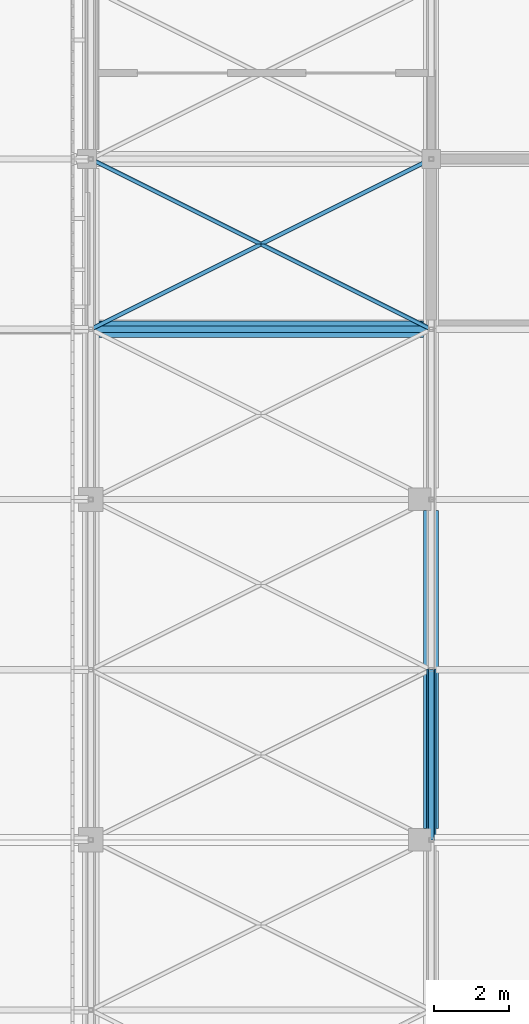
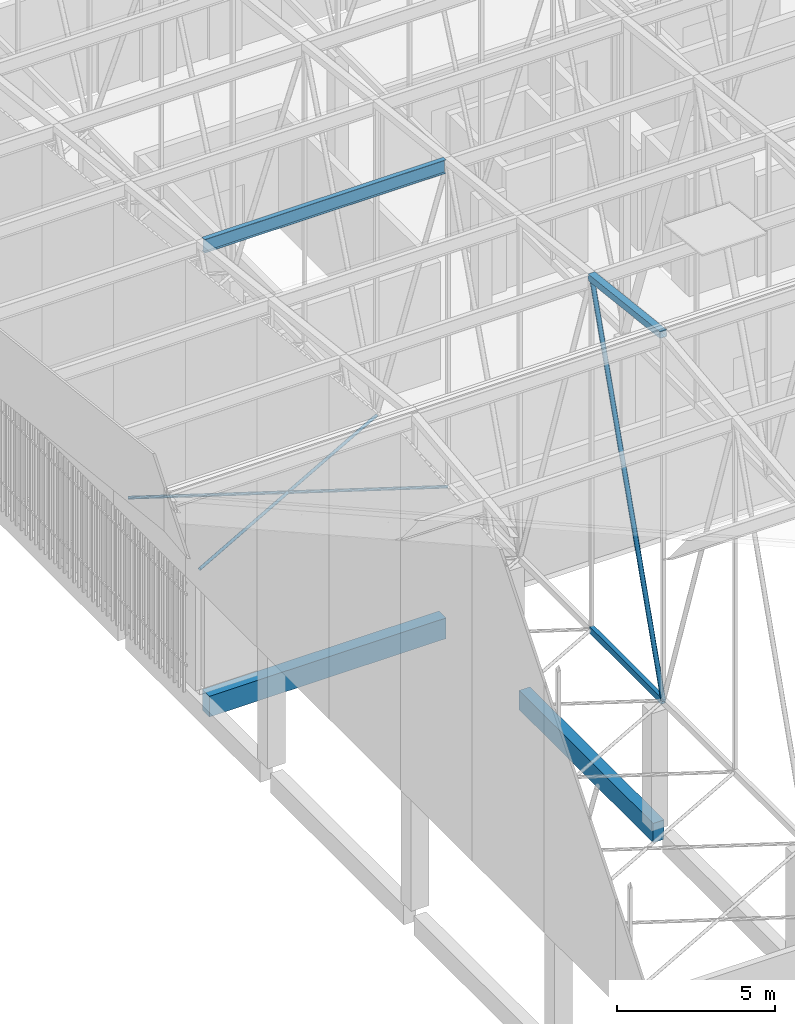
# One storey, part 171 of 500: 6 members, 2 beams.
"""IFC4 building model written with IfcOpenShell, lengths in metres."""

import ifcopenshell
import ifcopenshell.guid

model = None  # the IFC model being written
_history = None  # IfcOwnerHistory: only IFC2X3 demands one
_inside = {}  # id of a spatial element -> (the spatial element, [elements in it])
_under = {}  # id of a project, library or spatial element -> (it, [spatial elements below it])
_declared = {}  # id of a project -> (the project, [libraries it declares])
_typed = {}  # id of a type object -> (the type object, [elements of that type])
_made_of = {}  # id of a material, layer set ... -> (it, [elements and type objects made of it])


def new_model(schema):
    """Start an empty IFC model of exactly this schema.

    Asked for "IFC4X3", IfcOpenShell would pick the latest addendum, in which some entities
    have other attributes; the version numbers below select the first issue.
    IFC2X3 requires an IfcOwnerHistory on every rooted entity: one is made here for all.
    """
    global model, _history
    if schema == "IFC4X3":
        model = ifcopenshell.file(schema_version=(4, 3, 0, 0))
    else:
        model = ifcopenshell.file(schema=schema)
    _inside.clear()
    _under.clear()
    _declared.clear()
    _typed.clear()
    _made_of.clear()
    _history = None
    if model.schema == "IFC2X3":
        org = make("IfcOrganization", Name="unknown")
        user = make(
            "IfcPersonAndOrganization",
            ThePerson=make("IfcPerson", FamilyName="unknown"),
            TheOrganization=org,
        )
        app = make(
            "IfcApplication",
            ApplicationDeveloper=org,
            Version="unknown",
            ApplicationFullName="unknown",
            ApplicationIdentifier="unknown",
        )
        _history = make(
            "IfcOwnerHistory",
            OwningUser=user,
            OwningApplication=app,
            ChangeAction="ADDED",
            CreationDate=0,
        )
    return model


def make(cls, **values):
    """One entity of the class cls with the attributes given. An attribute that is None is left unset."""
    return model.create_entity(
        cls, **{name: value for name, value in values.items() if value is not None}
    )


def rooted(cls, **values):
    """An entity with a GlobalId (a new one), such as an element, a storey or a relation."""
    return make(cls, GlobalId=ifcopenshell.guid.new(), OwnerHistory=_history, **values)


def si_unit(unit_type, name, prefix=None):
    """IfcSIUnit, for example si_unit("LENGTHUNIT", "METRE", prefix="MILLI")."""
    return make("IfcSIUnit", UnitType=unit_type, Prefix=prefix, Name=name)


def assignment(units):
    """IfcUnitAssignment: the units of a project."""
    return None if units is None else make("IfcUnitAssignment", Units=units)


def point(xyz):
    """IfcCartesianPoint."""
    return None if xyz is None else make("IfcCartesianPoint", Coordinates=xyz)


def direction(xyz):
    """IfcDirection."""
    return None if xyz is None else make("IfcDirection", DirectionRatios=xyz)


def frame(location, z_axis=None, x_axis=None):
    """IfcAxis2Placement3D, a coordinate frame: its origin and axes. An axis left out is left unset."""
    return make(
        "IfcAxis2Placement3D",
        Location=point(location),
        Axis=direction(z_axis),
        RefDirection=direction(x_axis),
    )


def frame_2d(location, x_axis=None):
    """IfcAxis2Placement2D, a coordinate frame in the plane: its origin and x axis."""
    return make(
        "IfcAxis2Placement2D", Location=point(location), RefDirection=direction(x_axis)
    )


def origin():
    """The frame at (0, 0, 0) with its axes left unset."""
    return frame((0.0, 0.0, 0.0))


def origin_2d():
    """The frame at (0, 0) in the plane with its x axis left unset."""
    return frame_2d((0.0, 0.0))


def place(relative_to, where):
    """IfcLocalPlacement: puts the frame where relative to a parent placement (None: the world)."""
    return make(
        "IfcLocalPlacement", PlacementRelTo=relative_to, RelativePlacement=where
    )


def context(
    kind, dimensions, precision=None, world=None, true_north=None, identifier=None
):
    """IfcGeometricRepresentationContext, for example the 3D "Model" context."""
    return make(
        "IfcGeometricRepresentationContext",
        ContextIdentifier=identifier,
        ContextType=kind,
        CoordinateSpaceDimension=dimensions,
        Precision=precision,
        WorldCoordinateSystem=world,
        TrueNorth=true_north,
    )


def subcontext(parent, identifier, kind, view, scale=None):
    """IfcGeometricRepresentationSubContext, for example "Body" below "Model"."""
    return make(
        "IfcGeometricRepresentationSubContext",
        ContextIdentifier=identifier,
        ContextType=kind,
        ParentContext=parent,
        TargetScale=scale,
        TargetView=view,
    )


def project(units=None, contexts=None):
    """IfcProject with its units and contexts."""
    return rooted(
        "IfcProject",
        Name="project",
        RepresentationContexts=contexts,
        UnitsInContext=assignment(units),
    )


def spatial(cls, under=None, at=None, **own):
    """A site, building, storey or space (cls), placed at a placement, below another one or the project."""
    s = rooted(cls, ObjectPlacement=at, **own)
    if under is not None:
        _under.setdefault(under.id(), (under, []))[1].append(s)
    return s


def profile(cls, at=None, kind="AREA", **sizes):
    """A parametric profile (cls). Its sizes go by their IFC names, for example OverallWidth=200.0."""
    return make(cls, ProfileType=kind, Position=at, **sizes)


def rectangle(**sizes):
    """IfcRectangleProfileDef."""
    return profile("IfcRectangleProfileDef", **sizes)


def hollow_rectangle(**sizes):
    """IfcRectangleHollowProfileDef."""
    return profile("IfcRectangleHollowProfileDef", **sizes)


def hollow_circle(**sizes):
    """IfcCircleHollowProfileDef."""
    return profile("IfcCircleHollowProfileDef", **sizes)


def i_section(**sizes):
    """IfcIShapeProfileDef."""
    return profile("IfcIShapeProfileDef", **sizes)


def extrude(swept, where, along, depth):
    """IfcExtrudedAreaSolid: the profile swept, set in the frame where, extruded along a direction by depth."""
    return make(
        "IfcExtrudedAreaSolid",
        SweptArea=swept,
        Position=where,
        ExtrudedDirection=direction(along),
        Depth=depth,
    )


def shape(context_of_items, identifier, shape_type, items):
    """IfcShapeRepresentation: the items that make up one representation, for example the "Body"."""
    return make(
        "IfcShapeRepresentation",
        ContextOfItems=context_of_items,
        RepresentationIdentifier=identifier,
        RepresentationType=shape_type,
        Items=items,
    )


def material(Name=None, Category=None):
    """IfcMaterial."""
    return make("IfcMaterial", Name=Name, Category=Category)


def material_profile(
    of_material, cross_section, Name=None, Category=None, Priority=None
):
    """IfcMaterialProfile: a cross section and its material."""
    return make(
        "IfcMaterialProfile",
        Name=Name,
        Material=of_material,
        Profile=cross_section,
        Priority=Priority,
        Category=Category,
    )


def profile_set(profiles, Name=None, composite=None):
    """IfcMaterialProfileSet."""
    return make(
        "IfcMaterialProfileSet",
        Name=Name,
        MaterialProfiles=profiles,
        CompositeProfile=composite,
    )


def made_of(thing, what):
    """Note that an element or type object is made of a material, layer set ...; save() writes the relation."""
    if what is not None:
        _made_of.setdefault(what.id(), (what, []))[1].append(thing)
    return thing


def type_object(cls, material=None, **own):
    """A type object (cls), such as IfcWallType, which elements share."""
    return made_of(rooted(cls, **own), material)


def element(
    cls,
    number,
    at=None,
    inside=None,
    cuts=None,
    type_object=None,
    material=None,
    context=None,
    identifier="Body",
    shape_type=None,
    held_by="IfcProductDefinitionShape",
    body=None,
    shapes=None,
    **own,
):
    """One element of the class cls, such as IfcWall. Its Tag is "e" and its number.

    at: its placement. inside: the storey or other place that contains it. cuts: it is an
    opening in that element (IfcRelVoidsElement). A single representation is given by context,
    identifier, shape_type and body (its items); several are given by shapes. held_by: the class
    of the entity that holds the representations. save() writes the other relations.
    """
    e = rooted(cls, Tag="e%d" % number, ObjectPlacement=at, **own)
    if body is not None:
        shapes = [shape(context, identifier, shape_type, body)]
    if shapes is not None:
        e.Representation = make(held_by, Representations=shapes)
    if inside is not None:
        _inside.setdefault(inside.id(), (inside, []))[1].append(e)
    if cuts is not None:
        rooted(
            "IfcRelVoidsElement", RelatingBuildingElement=cuts, RelatedOpeningElement=e
        )
    if type_object is not None:
        _typed.setdefault(type_object.id(), (type_object, []))[1].append(e)
    return made_of(e, material)


def aggregate(whole, parts):
    """IfcRelAggregates: a whole, such as a stair, and the parts it consists of."""
    return rooted("IfcRelAggregates", RelatingObject=whole, RelatedObjects=parts)


def save(model, path):
    """Write the relations noted so far, then the file.

    IfcRelAggregates (storeys below a building ...), IfcRelContainedInSpatialStructure (elements
    in a storey), IfcRelDefinesByType, IfcRelAssociatesMaterial and IfcRelDeclares: one each for
    every whole, place, type object, material and project.
    """
    for whole, parts in _under.values():
        aggregate(whole, parts)
    for where, things in _inside.values():
        rooted(
            "IfcRelContainedInSpatialStructure",
            RelatedElements=things,
            RelatingStructure=where,
        )
    for kind, things in _typed.values():
        rooted("IfcRelDefinesByType", RelatedObjects=things, RelatingType=kind)
    for what, things in _made_of.values():
        rooted("IfcRelAssociatesMaterial", RelatedObjects=things, RelatingMaterial=what)
    for by, libraries in _declared.values():
        rooted("IfcRelDeclares", RelatingContext=by, RelatedDefinitions=libraries)
    model.write(path)


model = new_model("IFC4")

# Units and contexts
model_context = context("Model", 3, precision=1e-05, world=origin(), true_north=direction((0.0, 1.0)))
body_context = subcontext(model_context, "Body", "Model", "MODEL_VIEW")
ifc_project = project(units=[si_unit("LENGTHUNIT", "METRE"), si_unit("AREAUNIT", "SQUARE_METRE"), si_unit("VOLUMEUNIT", "CUBIC_METRE"), si_unit("PLANEANGLEUNIT", "RADIAN"), si_unit("MASSUNIT", "GRAM", prefix="KILO")], contexts=[model_context])

# Site, building, storey
site_placement = place(None, origin())
site = spatial("IfcSite", under=ifc_project, at=site_placement, CompositionType="ELEMENT")
building_placement = place(site_placement, origin())
building = spatial("IfcBuilding", under=site, at=building_placement, Name="Shirokan Park Arena", CompositionType="ELEMENT")
storey_placement = place(building_placement, frame((0.0, 0.0, 29.1201171875)))
storey = spatial("IfcBuildingStorey", under=building, at=storey_placement, Name="L06", CompositionType="ELEMENT", Elevation=29.1201171875)

# Members
ifc_material_1 = material(Name="Steel ASTM A500 Grade C", Category="steel")
ifc_material_profile_1 = material_profile(ifc_material_1, hollow_rectangle(XDim=0.152099609375, YDim=0.25390625, WallThickness=0.009521484375, at=origin_2d()), Name="HSS254X152.4X9.5")
ifc_profile_set_1 = profile_set([ifc_material_profile_1], Name="Steel ASTM A500 Grade C")
member_type_1 = type_object("IfcMemberType", Name="Bottom chord HSS254X152.4X9.5", PredefinedType="CHORD", material=ifc_profile_set_1)
member_1_placement = place(storey_placement, frame((9.10009765625, 54.60009765625, 4.677001953125), z_axis=(0.0, 1.0, 0.0), x_axis=(-1.0, 0.0, 0.0)))
element("IfcMember", 1, at=member_1_placement, inside=storey, type_object=member_type_1, Name="Truss T02 bottom chord 15", PredefinedType="CHORD", context=body_context, shape_type="SweptSolid", body=[
    extrude(hollow_rectangle(XDim=0.152099609375, YDim=0.25390625, WallThickness=0.009521484375, at=origin_2d()), origin(), (0.0, 0.0, 1.0), 4.5498046875),
])
ifc_material_profile_2 = material_profile(ifc_material_1, hollow_circle(Radius=0.056884765625, WallThickness=0.006103515625, at=origin_2d()), Name="HSS114.3X6")
ifc_profile_set_2 = profile_set([ifc_material_profile_2], Name="Steel ASTM A500 Grade C")
member_type_2 = type_object("IfcMemberType", Name="Plan bracing HSS114.3X6", PredefinedType="BRACE", material=ifc_profile_set_2)
for number, where, z_axis, x_axis, name in (
    (2, (0.0, 68.25, 4.677001953125), (0.894427191, 0.4472135955, 0.0), (-0.4472135955, 0.894427191, 0.0), "Plan bracing bay 1 panel 18 A"),
    (3, (9.10009765625, 68.25, 4.677001953125), (-0.894427191, 0.4472135955, 0.0), (-0.4472135955, -0.894427191, 0.0), "Plan bracing bay 1 panel 18 B"),
):
    element("IfcMember", number, at=place(storey_placement, frame(where, z_axis=z_axis, x_axis=x_axis)), inside=storey, type_object=member_type_2, Name=name, PredefinedType="BRACE", context=body_context, shape_type="SweptSolid", body=[
        extrude(hollow_circle(Radius=0.056884765625, WallThickness=0.006103515625, at=origin_2d()), origin(), (0.0, 0.0, 1.0), 10.17431640625),
    ])
ifc_material_2 = material(Name="Steel ASTM A992", Category="steel")
ifc_material_profile_3 = material_profile(ifc_material_2, i_section(OverallWidth=0.166015625, OverallDepth=0.528076171875, WebThickness=0.009765625, FlangeThickness=0.013671875, at=origin_2d()), Name="W530X74")
ifc_profile_set_3 = profile_set([ifc_material_profile_3], Name="Steel ASTM A992")
member_type_3 = type_object("IfcMemberType", Name="Purlin W530X74", PredefinedType="PURLIN", material=ifc_profile_set_3)
member_2_placement = place(storey_placement, frame((0.126953125, 68.25, 17.165771484375), z_axis=(1.0, 0.0, 0.0), x_axis=(0.0, 1.0, 0.0)))
element("IfcMember", 4, at=member_2_placement, inside=storey, type_object=member_type_3, Name="Purlin 18 bay 1", PredefinedType="PURLIN", context=body_context, shape_type="SweptSolid", body=[
    extrude(i_section(OverallWidth=0.166015625, OverallDepth=0.528076171875, WebThickness=0.009765625, FlangeThickness=0.013671875, at=origin_2d()), origin(), (0.0, 0.0, 1.0), 8.845947265625),
])

# Beams
ifc_material_3 = material(Name="Concrete C35", Category="concrete")
ifc_material_profile_4 = material_profile(ifc_material_3, rectangle(XDim=0.449951171875, YDim=0.800048828125, at=origin_2d()), Name="450x800")
ifc_profile_set_4 = profile_set([ifc_material_profile_4], Name="Concrete C35")
beam_type_1 = type_object("IfcBeamType", Name="RC edge beam 450x800", PredefinedType="BEAM", material=ifc_profile_set_4)
beam_1_placement = place(storey_placement, frame((0.22509765625, 68.25, -0.60009765625), z_axis=(1.0, 0.0, 0.0), x_axis=(0.0, 1.0, 0.0)))
element("IfcBeam", 5, at=beam_1_placement, inside=storey, type_object=beam_type_1, Name="Edge beam L06 L06-34", PredefinedType="BEAM", context=body_context, shape_type="SweptSolid", body=[
    extrude(rectangle(XDim=0.449951171875, YDim=0.800048828125, at=origin_2d()), origin(), (0.0, 0.0, 1.0), 8.6748046875),
])
ifc_material_profile_5 = material_profile(ifc_material_3, rectangle(XDim=0.39990234375, YDim=0.75, at=origin_2d()), Name="400x750")
ifc_profile_set_5 = profile_set([ifc_material_profile_5], Name="Concrete C35")
beam_type_2 = type_object("IfcBeamType", Name="RC girder 400x750", PredefinedType="BEAM", material=ifc_profile_set_5)
beam_2_placement = place(storey_placement, frame((9.10009765625, 54.900146484375, -0.5751953125), z_axis=(0.0, 1.0, 0.0), x_axis=(-1.0, 0.0, 0.0)))
element("IfcBeam", 6, at=beam_2_placement, inside=storey, type_object=beam_type_2, Name="Girder 2G-2H L06", PredefinedType="BEAM", context=body_context, shape_type="SweptSolid", body=[
    extrude(rectangle(XDim=0.39990234375, YDim=0.75, at=origin_2d()), origin(), (0.0, 0.0, 1.0), 8.499755859375),
])

# Members
ifc_material_profile_6 = material_profile(ifc_material_1, hollow_rectangle(XDim=0.25390625, YDim=0.25390625, WallThickness=0.009521484375, at=origin_2d()), Name="HSS254X254X9.5")
ifc_profile_set_6 = profile_set([ifc_material_profile_6], Name="Steel ASTM A500 Grade C")
member_type_4 = type_object("IfcMemberType", Name="Top chord HSS254X254X9.5", PredefinedType="CHORD", material=ifc_profile_set_6)
member_3_placement = place(storey_placement, frame((9.10009765625, 54.60009765625, 18.86279296875), z_axis=(0.0, 0.993531641592, -0.11355561261), x_axis=(-1.0, 0.0, 0.0)))
element("IfcMember", 7, at=member_3_placement, inside=storey, type_object=member_type_4, Name="Truss T02 top chord 15", PredefinedType="CHORD", context=body_context, shape_type="SweptSolid", body=[
    extrude(hollow_rectangle(XDim=0.25390625, YDim=0.25390625, WallThickness=0.009521484375, at=origin_2d()), origin(), (0.0, 0.0, 1.0), 4.579345703125),
])
ifc_material_profile_7 = material_profile(ifc_material_1, hollow_circle(Radius=0.083984375, WallThickness=0.009521484375, at=origin_2d()), Name="HSS168.3X9.5")
ifc_profile_set_7 = profile_set([ifc_material_profile_7], Name="Steel ASTM A500 Grade C")
member_type_5 = type_object("IfcMemberType", Name="Truss diagonal HSS168.3X9.5", PredefinedType="BRACE", material=ifc_profile_set_7)
member_4_placement = place(storey_placement, frame((9.10009765625, 54.60009765625, 4.677001953125), z_axis=(0.0, 0.315887043243, 0.948796804332), x_axis=(-1.0, 0.0, 0.0)))
element("IfcMember", 8, at=member_4_placement, inside=storey, type_object=member_type_5, Name="Truss T02 diagonal 15", PredefinedType="BRACE", context=body_context, shape_type="SweptSolid", body=[
    extrude(hollow_circle(Radius=0.083984375, WallThickness=0.009521484375, at=origin_2d()), origin(), (0.0, 0.0, 1.0), 14.4033203125),
])

save(model, "model.ifc")
